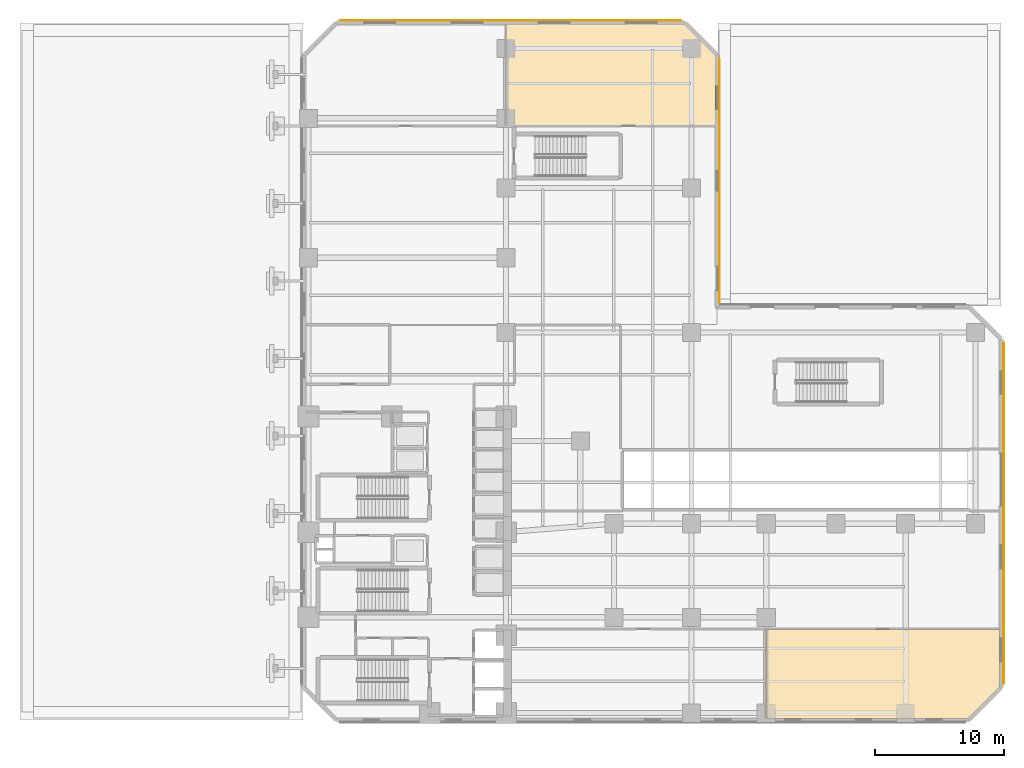
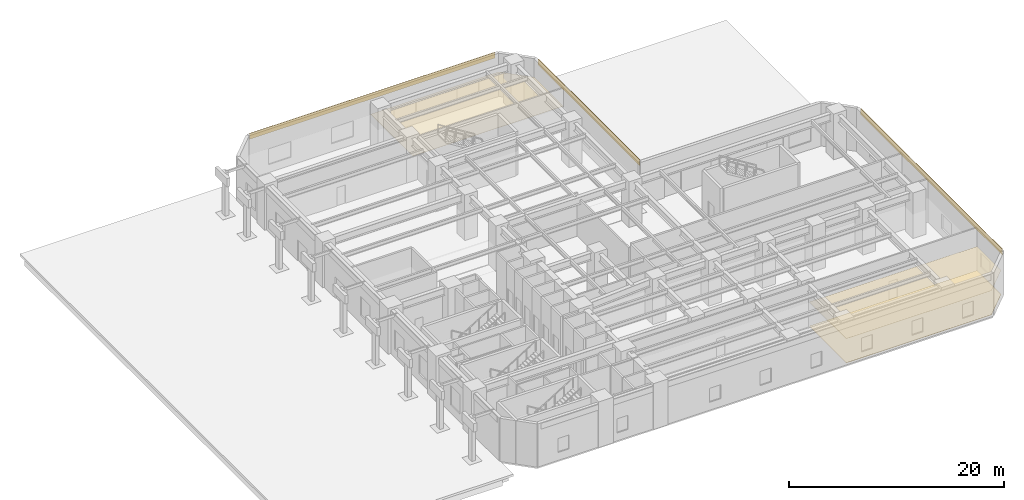
# One storey, part 13 of 14: 6 coverings.
"""IFC4 building model written with IfcOpenShell, lengths in metres."""

from ifc_helpers import new_model, si_unit, direction, frame, origin, origin_2d, place, context, subcontext, project, spatial, polyline, rectangle, outline, extrude, material, layer, layer_set, type_object, element, save


model = new_model("IFC4")

# Units and contexts
model_context = context("Model", 3, precision=1e-05, world=origin(), true_north=direction((0.0, 1.0)))
body_context = subcontext(model_context, "Body", "Model", "MODEL_VIEW")
ifc_project = project(units=[si_unit("LENGTHUNIT", "METRE"), si_unit("AREAUNIT", "SQUARE_METRE"), si_unit("VOLUMEUNIT", "CUBIC_METRE"), si_unit("PLANEANGLEUNIT", "RADIAN"), si_unit("MASSUNIT", "GRAM", prefix="KILO")], contexts=[model_context])

# Site, building, storey
site_placement = place(None, origin())
site = spatial("IfcSite", under=ifc_project, at=site_placement, CompositionType="ELEMENT")
building_placement = place(site_placement, origin())
building = spatial("IfcBuilding", under=site, at=building_placement, Name="Mawjaban Terraces University", CompositionType="ELEMENT")
storey_placement = place(building_placement, origin())
storey = spatial("IfcBuildingStorey", under=building, at=storey_placement, Name="L00", CompositionType="ELEMENT", Elevation=0.0)

# Coverings
ifc_material_1 = material(Name="Acoustic mineral fibre ceiling tile", Category="masonry")
ifc_layer_1 = layer(ifc_material_1, 0.02001953125)
ifc_layer_set_1 = layer_set([ifc_layer_1], Name="Acoustic mineral fibre ceiling tile")
covering_type_1 = type_object("IfcCoveringType", Name="AcousticMineralCeiling_20", PredefinedType="CEILING", material=ifc_layer_set_1)
covering_1_placement = place(storey_placement, frame((0.0, 0.0, 2.75)))
element("IfcCovering", 1, at=covering_1_placement, inside=storey, type_object=covering_type_1, Name="L00 Student Enrolment Commons Acoustic Ceiling", PredefinedType="CEILING", context=body_context, shape_type="SweptSolid", body=[
    extrude(outline(polyline([(53.885009765625, 46.030029296875), (53.885009765625, 51.452880859375), (51.452880859375, 53.885009765625), (37.679931640625, 53.885009765625), (37.679931640625, 46.030029296875), (53.885009765625, 46.030029296875)])), origin(), (0.0, 0.0, 1.0), 0.02001953125),
])
covering_2_placement = place(storey_placement, frame((0.0, 0.0, 2.75)))
element("IfcCovering", 2, at=covering_2_placement, inside=storey, type_object=covering_type_1, Name="L00 Plaza Academic Commons and Reading Lounge Acoustic Ceiling", PredefinedType="CEILING", context=body_context, shape_type="SweptSolid", body=[
    extrude(outline(polyline([(57.830078125, 0.114990234375), (73.452880859375, 0.114990234375), (75.885009765625, 2.547119140625), (75.885009765625, 7.02001953125), (57.830078125, 7.02001953125), (57.830078125, 0.114990234375)])), origin(), (0.0, 0.0, 1.0), 0.02001953125),
])
ifc_material_2 = material(Name="Glazed architectural terracotta rainscreen", Category="masonry")
ifc_layer_2 = layer(ifc_material_2, 0.06005859375)
ifc_layer_set_2 = layer_set([ifc_layer_2], Name="Glazed architectural terracotta rainscreen")
covering_type_2 = type_object("IfcCoveringType", Name="TerracottaSpandrelCladding_60", PredefinedType="CLADDING", material=ifc_layer_set_2)
covering_3_placement = place(storey_placement, frame((76.18505859375, 16.0, 4.2451171875), z_axis=(0.0, 0.0, 1.0), x_axis=(0.0, 1.0, 0.0)))
element("IfcCovering", 3, at=covering_3_placement, inside=storey, type_object=covering_type_2, Name="L00 Terracotta Spandrel Cladding 3", PredefinedType="CLADDING", context=body_context, shape_type="SweptSolid", body=[
    extrude(rectangle(XDim=26.39990234375, YDim=0.06005859375, at=origin_2d()), origin(), (0.0, 0.0, 1.0), 0.64990234375),
])
covering_4_placement = place(storey_placement, frame((54.18505859375, 41.75, 4.2451171875), z_axis=(0.0, 0.0, 1.0), x_axis=(0.0, 1.0, 0.0)))
element("IfcCovering", 4, at=covering_4_placement, inside=storey, type_object=covering_type_2, Name="L00 Terracotta Spandrel Cladding 6", PredefinedType="CLADDING", context=body_context, shape_type="SweptSolid", body=[
    extrude(rectangle(XDim=18.89990234375, YDim=0.06005859375, at=origin_2d()), origin(), (0.0, 0.0, 1.0), 0.64990234375),
])
covering_5_placement = place(storey_placement, frame((38.0, 54.18505859375, 4.2451171875), z_axis=(0.0, 0.0, 1.0), x_axis=(-1.0, 0.0, 0.0)))
element("IfcCovering", 5, at=covering_5_placement, inside=storey, type_object=covering_type_2, Name="L00 Terracotta Spandrel Cladding 8", PredefinedType="CLADDING", context=body_context, shape_type="SweptSolid", body=[
    extrude(rectangle(XDim=26.39990234375, YDim=0.06005859375, at=origin_2d()), origin(), (0.0, 0.0, 1.0), 0.64990234375),
])
ifc_material_3 = material(Name="Polished Hijazi granite terrazzo flooring", Category="masonry")
ifc_layer_3 = layer(ifc_material_3, 0.02490234375)
ifc_layer_set_3 = layer_set([ifc_layer_3], Name="Polished Hijazi granite terrazzo flooring")
covering_type_3 = type_object("IfcCoveringType", Name="TerrazzoConcourseFlooring_25", PredefinedType="FLOORING", material=ifc_layer_set_3)
covering_6_placement = place(storey_placement, origin())
element("IfcCovering", 6, at=covering_6_placement, inside=storey, type_object=covering_type_3, Name="L00 Plaza Academic Commons and Reading Lounge Terrazzo Flooring", PredefinedType="FLOORING", context=body_context, shape_type="SweptSolid", body=[
    extrude(outline(polyline([(57.830078125, 0.114990234375), (73.452880859375, 0.114990234375), (75.885009765625, 2.547119140625), (75.885009765625, 7.02001953125), (57.830078125, 7.02001953125), (57.830078125, 0.114990234375)])), origin(), (0.0, 0.0, 1.0), 0.02490234375),
])

save(model, "model.ifc")
